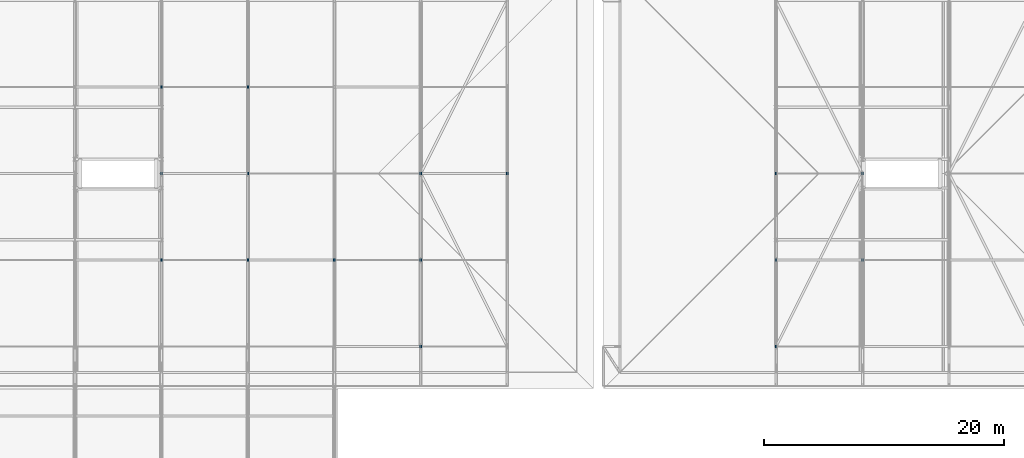
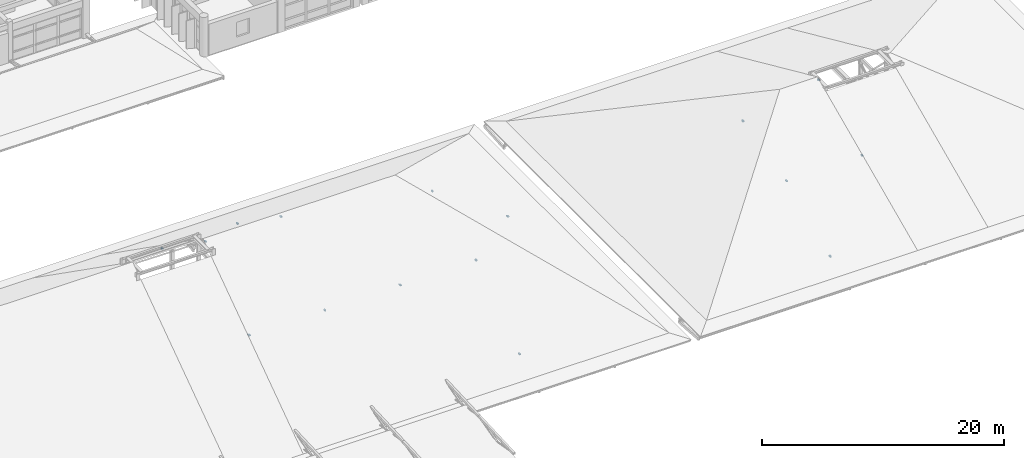
# One storey, part 42 of 100: 16 members.
"""IFC4 building model written with IfcOpenShell, lengths in metres."""

from ifc_helpers import new_model, si_unit, direction, frame, origin, origin_2d, place, context, subcontext, project, spatial, rectangle, extrude, material, material_profile, profile_set, type_object, element, save


model = new_model("IFC4")

# Units and contexts
model_context = context("Model", 3, precision=1e-05, world=origin(), true_north=direction((0.0, 1.0)))
body_context = subcontext(model_context, "Body", "Model", "MODEL_VIEW")
ifc_project = project(units=[si_unit("LENGTHUNIT", "METRE"), si_unit("AREAUNIT", "SQUARE_METRE"), si_unit("VOLUMEUNIT", "CUBIC_METRE"), si_unit("PLANEANGLEUNIT", "RADIAN"), si_unit("MASSUNIT", "GRAM", prefix="KILO")], contexts=[model_context])

# Site, building, storey
site_placement = place(None, origin())
site = spatial("IfcSite", under=ifc_project, at=site_placement, CompositionType="ELEMENT")
building_placement = place(site_placement, origin())
building = spatial("IfcBuilding", under=site, at=building_placement, Name="Steenspoor Specialist Clinic", CompositionType="ELEMENT")
storey_placement = place(building_placement, frame((0.0, 0.0, 9.0)))
storey = spatial("IfcBuildingStorey", under=building, at=storey_placement, Name="L02", CompositionType="ELEMENT", Elevation=9.0)

# Members
ifc_material = material(Name="Glulam GL28h", Category="wood")
ifc_material_profile = material_profile(ifc_material, rectangle(XDim=0.139892578125, YDim=0.219970703125, at=origin_2d()), Name="GL28H-140X220")
ifc_profile_set = profile_set([ifc_material_profile], Name="Glulam GL28h")
member_type = type_object("IfcMemberType", Name="MEM-RAFTER-GL220", PredefinedType="RAFTER", material=ifc_profile_set)
for number, where, z_axis, x_axis, name in (
    (1, (81.199951171875, 20.25, 6.5869140625), (0.0, 0.0, 1.0), (1.0, 0.0, 0.0), "ROOF TRUSS Purlin Pack 59B"),
    (2, (81.199951171875, 34.64990234375, 6.5869140625), (0.0, 0.0, 1.0), (1.0, 0.0, 0.0), "ROOF TRUSS Purlin Pack 60B"),
):
    element("IfcMember", number, at=place(storey_placement, frame(where, z_axis=z_axis, x_axis=x_axis)), inside=storey, type_object=member_type, Name=name, PredefinedType="RAFTER", context=body_context, shape_type="SweptSolid", body=[
        extrude(rectangle(XDim=0.139892578125, YDim=0.219970703125, at=origin_2d()), origin(), (0.0, 0.0, 1.0), 0.08740234375),
    ])
member_1_placement = place(storey_placement, frame((88.39990234375, 20.25, 6.5390625), z_axis=(0.0, 0.0, 1.0), x_axis=(1.0, 0.0, 0.0)))
element("IfcMember", 3, at=member_1_placement, inside=storey, type_object=member_type, Name="ROOF TRUSS Purlin Pack 63B", PredefinedType="RAFTER", context=body_context, shape_type="SweptSolid", body=[
    extrude(rectangle(XDim=0.139892578125, YDim=0.219970703125, at=origin_2d()), origin(), (0.0, 0.0, 1.0), 0.138427734375),
])
member_2_placement = place(storey_placement, frame((81.199951171875, 27.449951171875, 11.660888671875), z_axis=(0.0, 0.0, 1.0), x_axis=(1.0, 0.0, 0.0)))
element("IfcMember", 4, at=member_2_placement, inside=storey, type_object=member_type, Name="ROOF TRUSS Purlin Pack 64A", PredefinedType="RAFTER", context=body_context, shape_type="SweptSolid", body=[
    extrude(rectangle(XDim=0.139892578125, YDim=0.219970703125, at=origin_2d()), origin(), (0.0, 0.0, 1.0), 0.08740234375),
])
member_3_placement = place(storey_placement, frame((88.39990234375, 27.449951171875, 11.613037109375), z_axis=(0.0, 0.0, 1.0), x_axis=(1.0, 0.0, 0.0)))
element("IfcMember", 5, at=member_3_placement, inside=storey, type_object=member_type, Name="ROOF TRUSS Purlin Pack 64B", PredefinedType="RAFTER", context=body_context, shape_type="SweptSolid", body=[
    extrude(rectangle(XDim=0.139892578125, YDim=0.219970703125, at=origin_2d()), origin(), (0.0, 0.0, 1.0), 0.117919921875),
])
member_4_placement = place(storey_placement, frame((88.39990234375, 34.64990234375, 6.5390625), z_axis=(0.0, 0.0, 1.0), x_axis=(1.0, 0.0, 0.0)))
element("IfcMember", 6, at=member_4_placement, inside=storey, type_object=member_type, Name="ROOF TRUSS Purlin Pack 65B", PredefinedType="RAFTER", context=body_context, shape_type="SweptSolid", body=[
    extrude(rectangle(XDim=0.139892578125, YDim=0.219970703125, at=origin_2d()), origin(), (0.0, 0.0, 1.0), 0.14208984375),
])
member_5_placement = place(storey_placement, frame((95.60009765625, 20.25, 6.5869140625), z_axis=(0.0, 0.0, 1.0), x_axis=(1.0, 0.0, 0.0)))
element("IfcMember", 7, at=member_5_placement, inside=storey, type_object=member_type, Name="ROOF TRUSS Purlin Pack 68B", PredefinedType="RAFTER", context=body_context, shape_type="SweptSolid", body=[
    extrude(rectangle(XDim=0.139892578125, YDim=0.219970703125, at=origin_2d()), origin(), (0.0, 0.0, 1.0), 0.08740234375),
])
member_6_placement = place(storey_placement, frame((102.800048828125, 13.050048828125, 1.46484375), z_axis=(0.0, 0.0, 1.0), x_axis=(1.0, 0.0, 0.0)))
element("IfcMember", 8, at=member_6_placement, inside=storey, type_object=member_type, Name="ROOF TRUSS Purlin Pack 72B", PredefinedType="RAFTER", context=body_context, shape_type="SweptSolid", body=[
    extrude(rectangle(XDim=0.139892578125, YDim=0.219970703125, at=origin_2d()), origin(), (0.0, 0.0, 1.0), 0.117919921875),
])
member_7_placement = place(storey_placement, frame((102.800048828125, 20.25, 6.5390625), z_axis=(0.0, 0.0, 1.0), x_axis=(1.0, 0.0, 0.0)))
element("IfcMember", 9, at=member_7_placement, inside=storey, type_object=member_type, Name="ROOF TRUSS Purlin Pack 73B", PredefinedType="RAFTER", context=body_context, shape_type="SweptSolid", body=[
    extrude(rectangle(XDim=0.139892578125, YDim=0.219970703125, at=origin_2d()), origin(), (0.0, 0.0, 1.0), 0.14208984375),
])
member_8_placement = place(storey_placement, frame((102.800048828125, 27.449951171875, 9.12548828125), z_axis=(0.0, 0.0, 1.0), x_axis=(1.0, 0.0, 0.0)))
element("IfcMember", 10, at=member_8_placement, inside=storey, type_object=member_type, Name="ROOF TRUSS Purlin Pack 74B", PredefinedType="RAFTER", context=body_context, shape_type="SweptSolid", body=[
    extrude(rectangle(XDim=0.139892578125, YDim=0.219970703125, at=origin_2d()), origin(), (0.0, 0.0, 1.0), 0.138427734375),
])
member_9_placement = place(storey_placement, frame((110.0, 27.449951171875, 4.09912109375), z_axis=(0.0, 0.0, 1.0), x_axis=(1.0, 0.0, 0.0)))
element("IfcMember", 11, at=member_9_placement, inside=storey, type_object=member_type, Name="ROOF TRUSS Purlin Pack 79B", PredefinedType="RAFTER", context=body_context, shape_type="SweptSolid", body=[
    extrude(rectangle(XDim=0.139892578125, YDim=0.219970703125, at=origin_2d()), origin(), (0.0, 0.0, 1.0), 0.08740234375),
])
member_10_placement = place(storey_placement, frame((132.39990234375, 13.050048828125, 0.921142578125), z_axis=(0.0, 0.0, 1.0), x_axis=(1.0, 0.0, 0.0)))
element("IfcMember", 12, at=member_10_placement, inside=storey, type_object=member_type, Name="ROOF TRUSS Purlin Pack 127A", PredefinedType="RAFTER", context=body_context, shape_type="SweptSolid", body=[
    extrude(rectangle(XDim=0.139892578125, YDim=0.219970703125, at=origin_2d()), origin(), (0.0, 0.0, 1.0), 0.155517578125),
])
member_11_placement = place(storey_placement, frame((132.39990234375, 20.25, 4.168212890625), z_axis=(0.0, 0.0, 1.0), x_axis=(1.0, 0.0, 0.0)))
element("IfcMember", 13, at=member_11_placement, inside=storey, type_object=member_type, Name="ROOF TRUSS Purlin Pack 128A", PredefinedType="RAFTER", context=body_context, shape_type="SweptSolid", body=[
    extrude(rectangle(XDim=0.139892578125, YDim=0.219970703125, at=origin_2d()), origin(), (0.0, 0.0, 1.0), 0.134765625),
])
member_12_placement = place(storey_placement, frame((132.39990234375, 27.449951171875, 5.822998046875), z_axis=(0.0, 0.0, 1.0), x_axis=(1.0, 0.0, 0.0)))
element("IfcMember", 14, at=member_12_placement, inside=storey, type_object=member_type, Name="ROOF TRUSS Purlin Pack 129A", PredefinedType="RAFTER", context=body_context, shape_type="SweptSolid", body=[
    extrude(rectangle(XDim=0.139892578125, YDim=0.219970703125, at=origin_2d()), origin(), (0.0, 0.0, 1.0), 0.159423828125),
])
for number, where, z_axis, x_axis, name in (
    (15, (139.60009765625, 27.449951171875, 7.48779296875), (0.0, 0.0, 1.0), (1.0, 0.0, 0.0), "ROOF TRUSS Purlin Pack 129B"),
    (16, (139.60009765625, 20.25, 4.240966796875), (0.0, 0.0, 1.0), (1.0, 0.0, 0.0), "ROOF TRUSS Purlin Pack 133A"),
):
    element("IfcMember", number, at=place(storey_placement, frame(where, z_axis=z_axis, x_axis=x_axis)), inside=storey, type_object=member_type, Name=name, PredefinedType="RAFTER", context=body_context, shape_type="SweptSolid", body=[
        extrude(rectangle(XDim=0.139892578125, YDim=0.219970703125, at=origin_2d()), origin(), (0.0, 0.0, 1.0), 0.08642578125),
    ])

save(model, "model.ifc")
